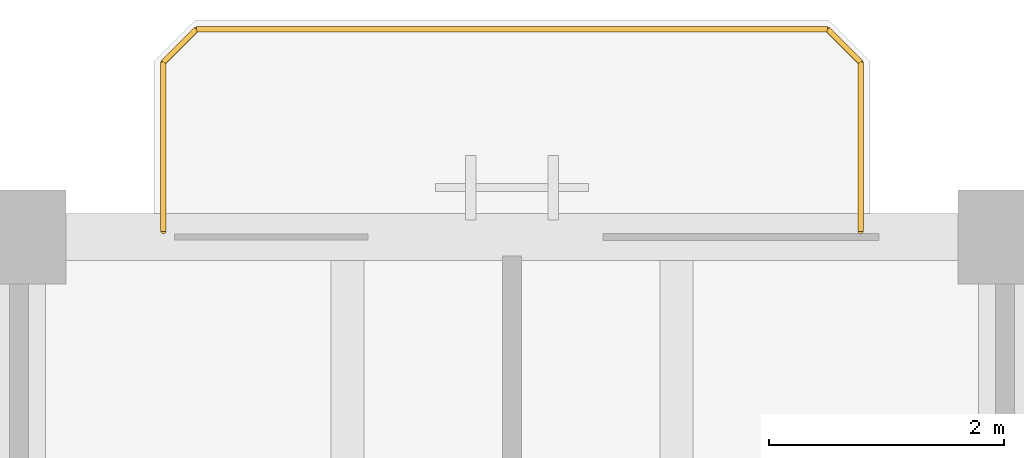
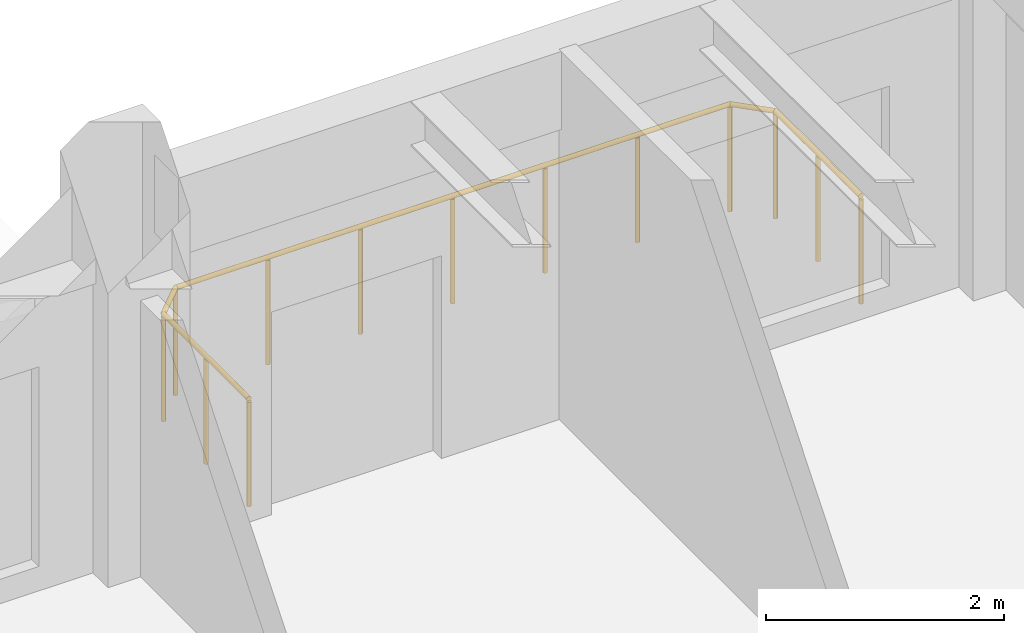
# One storey, part 119 of 132: 1 railing.
"""IFC4 building model written with IfcOpenShell, lengths in metres."""

import ifcopenshell
import ifcopenshell.guid

model = None  # the IFC model being written
_history = None  # IfcOwnerHistory: only IFC2X3 demands one
_inside = {}  # id of a spatial element -> (the spatial element, [elements in it])
_under = {}  # id of a project, library or spatial element -> (it, [spatial elements below it])
_declared = {}  # id of a project -> (the project, [libraries it declares])
_typed = {}  # id of a type object -> (the type object, [elements of that type])
_made_of = {}  # id of a material, layer set ... -> (it, [elements and type objects made of it])


def new_model(schema):
    """Start an empty IFC model of exactly this schema.

    Asked for "IFC4X3", IfcOpenShell would pick the latest addendum, in which some entities
    have other attributes; the version numbers below select the first issue.
    IFC2X3 requires an IfcOwnerHistory on every rooted entity: one is made here for all.
    """
    global model, _history
    if schema == "IFC4X3":
        model = ifcopenshell.file(schema_version=(4, 3, 0, 0))
    else:
        model = ifcopenshell.file(schema=schema)
    _inside.clear()
    _under.clear()
    _declared.clear()
    _typed.clear()
    _made_of.clear()
    _history = None
    if model.schema == "IFC2X3":
        org = make("IfcOrganization", Name="unknown")
        user = make(
            "IfcPersonAndOrganization",
            ThePerson=make("IfcPerson", FamilyName="unknown"),
            TheOrganization=org,
        )
        app = make(
            "IfcApplication",
            ApplicationDeveloper=org,
            Version="unknown",
            ApplicationFullName="unknown",
            ApplicationIdentifier="unknown",
        )
        _history = make(
            "IfcOwnerHistory",
            OwningUser=user,
            OwningApplication=app,
            ChangeAction="ADDED",
            CreationDate=0,
        )
    return model


def make(cls, **values):
    """One entity of the class cls with the attributes given. An attribute that is None is left unset."""
    return model.create_entity(
        cls, **{name: value for name, value in values.items() if value is not None}
    )


def rooted(cls, **values):
    """An entity with a GlobalId (a new one), such as an element, a storey or a relation."""
    return make(cls, GlobalId=ifcopenshell.guid.new(), OwnerHistory=_history, **values)


def si_unit(unit_type, name, prefix=None):
    """IfcSIUnit, for example si_unit("LENGTHUNIT", "METRE", prefix="MILLI")."""
    return make("IfcSIUnit", UnitType=unit_type, Prefix=prefix, Name=name)


def assignment(units):
    """IfcUnitAssignment: the units of a project."""
    return None if units is None else make("IfcUnitAssignment", Units=units)


def point(xyz):
    """IfcCartesianPoint."""
    return None if xyz is None else make("IfcCartesianPoint", Coordinates=xyz)


def direction(xyz):
    """IfcDirection."""
    return None if xyz is None else make("IfcDirection", DirectionRatios=xyz)


def frame(location, z_axis=None, x_axis=None):
    """IfcAxis2Placement3D, a coordinate frame: its origin and axes. An axis left out is left unset."""
    return make(
        "IfcAxis2Placement3D",
        Location=point(location),
        Axis=direction(z_axis),
        RefDirection=direction(x_axis),
    )


def frame_2d(location, x_axis=None):
    """IfcAxis2Placement2D, a coordinate frame in the plane: its origin and x axis."""
    return make(
        "IfcAxis2Placement2D", Location=point(location), RefDirection=direction(x_axis)
    )


def origin():
    """The frame at (0, 0, 0) with its axes left unset."""
    return frame((0.0, 0.0, 0.0))


def origin_2d():
    """The frame at (0, 0) in the plane with its x axis left unset."""
    return frame_2d((0.0, 0.0))


def place(relative_to, where):
    """IfcLocalPlacement: puts the frame where relative to a parent placement (None: the world)."""
    return make(
        "IfcLocalPlacement", PlacementRelTo=relative_to, RelativePlacement=where
    )


def context(
    kind, dimensions, precision=None, world=None, true_north=None, identifier=None
):
    """IfcGeometricRepresentationContext, for example the 3D "Model" context."""
    return make(
        "IfcGeometricRepresentationContext",
        ContextIdentifier=identifier,
        ContextType=kind,
        CoordinateSpaceDimension=dimensions,
        Precision=precision,
        WorldCoordinateSystem=world,
        TrueNorth=true_north,
    )


def subcontext(parent, identifier, kind, view, scale=None):
    """IfcGeometricRepresentationSubContext, for example "Body" below "Model"."""
    return make(
        "IfcGeometricRepresentationSubContext",
        ContextIdentifier=identifier,
        ContextType=kind,
        ParentContext=parent,
        TargetScale=scale,
        TargetView=view,
    )


def project(units=None, contexts=None):
    """IfcProject with its units and contexts."""
    return rooted(
        "IfcProject",
        Name="project",
        RepresentationContexts=contexts,
        UnitsInContext=assignment(units),
    )


def spatial(cls, under=None, at=None, **own):
    """A site, building, storey or space (cls), placed at a placement, below another one or the project."""
    s = rooted(cls, ObjectPlacement=at, **own)
    if under is not None:
        _under.setdefault(under.id(), (under, []))[1].append(s)
    return s


def profile(cls, at=None, kind="AREA", **sizes):
    """A parametric profile (cls). Its sizes go by their IFC names, for example OverallWidth=200.0."""
    return make(cls, ProfileType=kind, Position=at, **sizes)


def circle(**sizes):
    """IfcCircleProfileDef."""
    return profile("IfcCircleProfileDef", **sizes)


def extrude(swept, where, along, depth):
    """IfcExtrudedAreaSolid: the profile swept, set in the frame where, extruded along a direction by depth."""
    return make(
        "IfcExtrudedAreaSolid",
        SweptArea=swept,
        Position=where,
        ExtrudedDirection=direction(along),
        Depth=depth,
    )


def shape(context_of_items, identifier, shape_type, items):
    """IfcShapeRepresentation: the items that make up one representation, for example the "Body"."""
    return make(
        "IfcShapeRepresentation",
        ContextOfItems=context_of_items,
        RepresentationIdentifier=identifier,
        RepresentationType=shape_type,
        Items=items,
    )


def material(Name=None, Category=None):
    """IfcMaterial."""
    return make("IfcMaterial", Name=Name, Category=Category)


def made_of(thing, what):
    """Note that an element or type object is made of a material, layer set ...; save() writes the relation."""
    if what is not None:
        _made_of.setdefault(what.id(), (what, []))[1].append(thing)
    return thing


def type_object(cls, material=None, **own):
    """A type object (cls), such as IfcWallType, which elements share."""
    return made_of(rooted(cls, **own), material)


def element(
    cls,
    number,
    at=None,
    inside=None,
    cuts=None,
    type_object=None,
    material=None,
    context=None,
    identifier="Body",
    shape_type=None,
    held_by="IfcProductDefinitionShape",
    body=None,
    shapes=None,
    **own,
):
    """One element of the class cls, such as IfcWall. Its Tag is "e" and its number.

    at: its placement. inside: the storey or other place that contains it. cuts: it is an
    opening in that element (IfcRelVoidsElement). A single representation is given by context,
    identifier, shape_type and body (its items); several are given by shapes. held_by: the class
    of the entity that holds the representations. save() writes the other relations.
    """
    e = rooted(cls, Tag="e%d" % number, ObjectPlacement=at, **own)
    if body is not None:
        shapes = [shape(context, identifier, shape_type, body)]
    if shapes is not None:
        e.Representation = make(held_by, Representations=shapes)
    if inside is not None:
        _inside.setdefault(inside.id(), (inside, []))[1].append(e)
    if cuts is not None:
        rooted(
            "IfcRelVoidsElement", RelatingBuildingElement=cuts, RelatedOpeningElement=e
        )
    if type_object is not None:
        _typed.setdefault(type_object.id(), (type_object, []))[1].append(e)
    return made_of(e, material)


def aggregate(whole, parts):
    """IfcRelAggregates: a whole, such as a stair, and the parts it consists of."""
    return rooted("IfcRelAggregates", RelatingObject=whole, RelatedObjects=parts)


def save(model, path):
    """Write the relations noted so far, then the file.

    IfcRelAggregates (storeys below a building ...), IfcRelContainedInSpatialStructure (elements
    in a storey), IfcRelDefinesByType, IfcRelAssociatesMaterial and IfcRelDeclares: one each for
    every whole, place, type object, material and project.
    """
    for whole, parts in _under.values():
        aggregate(whole, parts)
    for where, things in _inside.values():
        rooted(
            "IfcRelContainedInSpatialStructure",
            RelatedElements=things,
            RelatingStructure=where,
        )
    for kind, things in _typed.values():
        rooted("IfcRelDefinesByType", RelatedObjects=things, RelatingType=kind)
    for what, things in _made_of.values():
        rooted("IfcRelAssociatesMaterial", RelatedObjects=things, RelatingMaterial=what)
    for by, libraries in _declared.values():
        rooted("IfcRelDeclares", RelatingContext=by, RelatedDefinitions=libraries)
    model.write(path)


model = new_model("IFC4")

# Units and contexts
model_context = context("Model", 3, precision=1e-05, world=origin(), true_north=direction((0.0, 1.0)))
body_context = subcontext(model_context, "Body", "Model", "MODEL_VIEW")
ifc_project = project(units=[si_unit("LENGTHUNIT", "METRE"), si_unit("AREAUNIT", "SQUARE_METRE"), si_unit("VOLUMEUNIT", "CUBIC_METRE"), si_unit("PLANEANGLEUNIT", "RADIAN"), si_unit("MASSUNIT", "GRAM", prefix="KILO")], contexts=[model_context])

# Site, building, storey
site_placement = place(None, origin())
site = spatial("IfcSite", under=ifc_project, at=site_placement, CompositionType="ELEMENT")
building_placement = place(site_placement, origin())
building = spatial("IfcBuilding", under=site, at=building_placement, Name="Cumbredor Promenade Congress Hotel", CompositionType="ELEMENT")
storey_placement = place(building_placement, frame((0.0, 0.0, 7.56005859375)))
storey = spatial("IfcBuildingStorey", under=building, at=storey_placement, Name="L02", CompositionType="ELEMENT", Elevation=7.56005859375)

# Railing
ifc_material = material(Name="Brushed stainless steel", Category="steel")
railing_type = type_object("IfcRailingType", Name="Terrace Perimeter Balustrade BAL-1120", PredefinedType="BALUSTRADE", material=ifc_material)
railing_placement = place(storey_placement, frame((60.030029296875, 117.64990234375, 0.0)))
element("IfcRailing", 1, at=railing_placement, inside=storey, type_object=railing_type, Name="L02 Veranda Balcony Balustrade 007", PredefinedType="BALUSTRADE", context=body_context, shape_type="SweptSolid", body=[
    extrude(circle(Radius=0.02392578125, at=origin_2d()), frame((0.0, 0.0, 1.09619140625), z_axis=(0.0, 1.0, 0.0), x_axis=(-1.0, 0.0, 0.0)), (0.0, 0.0, 1.0), 1.440185546875),
    extrude(circle(Radius=0.02392578125, at=origin_2d()), frame((0.0, 1.440185546875, 1.09619140625), z_axis=(0.707106781187, 0.707106781187, 0.0), x_axis=(-0.707106781187, 0.707106781187, 0.0)), (0.0, 0.0, 1.0), 0.39599609375),
    extrude(circle(Radius=0.02392578125, at=origin_2d()), frame((0.280029296875, 1.72021484375, 1.09619140625), z_axis=(1.0, 0.0, 0.0), x_axis=(0.0, 1.0, 0.0)), (0.0, 0.0, 1.0), 5.3798828125),
    extrude(circle(Radius=0.02392578125, at=origin_2d()), frame((5.659912109375, 1.72021484375, 1.09619140625), z_axis=(0.707106781187, -0.707106781187, 0.0), x_axis=(0.707106781187, 0.707106781187, 0.0)), (0.0, 0.0, 1.0), 0.39599609375),
    extrude(circle(Radius=0.02392578125, at=origin_2d()), frame((5.93994140625, 1.440185546875, 1.09619140625), z_axis=(0.0, -1.0, 0.0), x_axis=(1.0, 0.0, 0.0)), (0.0, 0.0, 1.0), 1.440185546875),
    extrude(circle(Radius=0.02099609375, at=origin_2d()), origin(), (0.0, 0.0, 1.0), 1.072021484375),
    extrude(circle(Radius=0.02099609375, at=origin_2d()), frame((0.0, 0.72021484375, 0.0)), (0.0, 0.0, 1.0), 1.072021484375),
    extrude(circle(Radius=0.02099609375, at=origin_2d()), frame((0.0, 1.440185546875, 0.0)), (0.0, 0.0, 1.0), 1.072021484375),
    extrude(circle(Radius=0.02099609375, at=origin_2d()), frame((0.280029296875, 1.72021484375, 0.0)), (0.0, 0.0, 1.0), 1.072021484375),
    extrude(circle(Radius=0.02099609375, at=origin_2d()), frame((1.1767578125, 1.72021484375, 0.0)), (0.0, 0.0, 1.0), 1.072021484375),
    extrude(circle(Radius=0.02099609375, at=origin_2d()), frame((2.0732421875, 1.72021484375, 0.0)), (0.0, 0.0, 1.0), 1.072021484375),
    extrude(circle(Radius=0.02099609375, at=origin_2d()), frame((2.969970703125, 1.72021484375, 0.0)), (0.0, 0.0, 1.0), 1.072021484375),
    extrude(circle(Radius=0.02099609375, at=origin_2d()), frame((3.86669921875, 1.72021484375, 0.0)), (0.0, 0.0, 1.0), 1.072021484375),
    extrude(circle(Radius=0.02099609375, at=origin_2d()), frame((4.76318359375, 1.72021484375, 0.0)), (0.0, 0.0, 1.0), 1.072021484375),
    extrude(circle(Radius=0.02099609375, at=origin_2d()), frame((5.659912109375, 1.72021484375, 0.0)), (0.0, 0.0, 1.0), 1.072021484375),
    extrude(circle(Radius=0.02099609375, at=origin_2d()), frame((5.93994140625, 1.440185546875, 0.0)), (0.0, 0.0, 1.0), 1.072021484375),
    extrude(circle(Radius=0.02099609375, at=origin_2d()), frame((5.93994140625, 0.72021484375, 0.0)), (0.0, 0.0, 1.0), 1.072021484375),
    extrude(circle(Radius=0.02099609375, at=origin_2d()), frame((5.93994140625, 0.0, 0.0)), (0.0, 0.0, 1.0), 1.072021484375),
])

save(model, "model.ifc")
